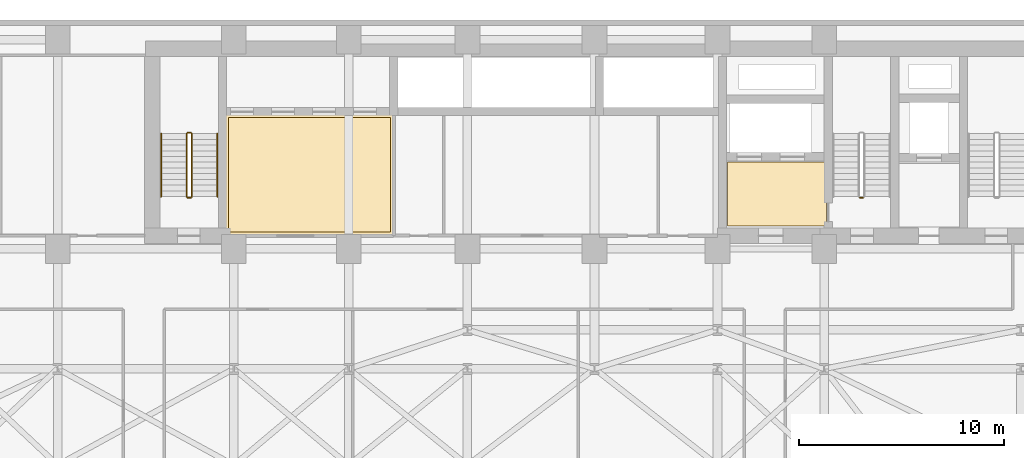
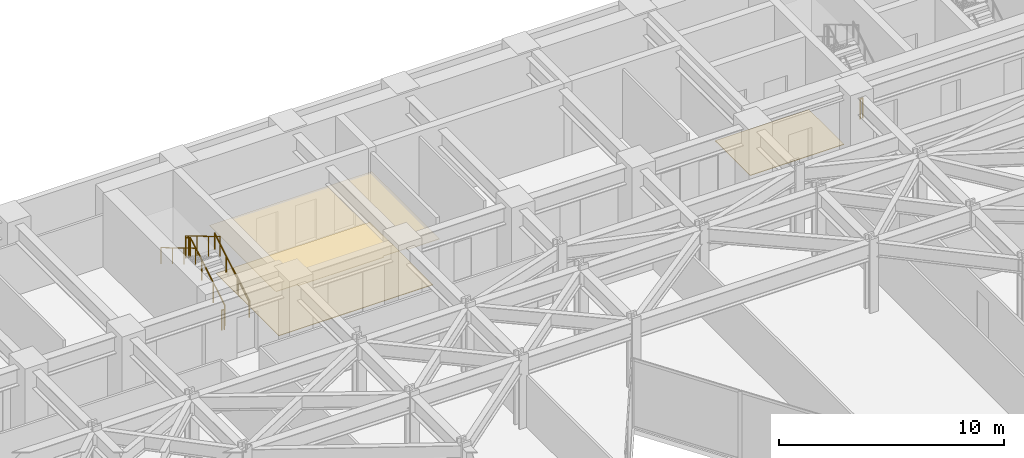
# One storey, part 24 of 25: 7 railings, 3 coverings.
"""IFC4 building model written with IfcOpenShell, lengths in metres."""

import ifcopenshell
import ifcopenshell.guid

model = None  # the IFC model being written
_history = None  # IfcOwnerHistory: only IFC2X3 demands one
_inside = {}  # id of a spatial element -> (the spatial element, [elements in it])
_under = {}  # id of a project, library or spatial element -> (it, [spatial elements below it])
_declared = {}  # id of a project -> (the project, [libraries it declares])
_typed = {}  # id of a type object -> (the type object, [elements of that type])
_made_of = {}  # id of a material, layer set ... -> (it, [elements and type objects made of it])


def new_model(schema):
    """Start an empty IFC model of exactly this schema.

    Asked for "IFC4X3", IfcOpenShell would pick the latest addendum, in which some entities
    have other attributes; the version numbers below select the first issue.
    IFC2X3 requires an IfcOwnerHistory on every rooted entity: one is made here for all.
    """
    global model, _history
    if schema == "IFC4X3":
        model = ifcopenshell.file(schema_version=(4, 3, 0, 0))
    else:
        model = ifcopenshell.file(schema=schema)
    _inside.clear()
    _under.clear()
    _declared.clear()
    _typed.clear()
    _made_of.clear()
    _history = None
    if model.schema == "IFC2X3":
        org = make("IfcOrganization", Name="unknown")
        user = make(
            "IfcPersonAndOrganization",
            ThePerson=make("IfcPerson", FamilyName="unknown"),
            TheOrganization=org,
        )
        app = make(
            "IfcApplication",
            ApplicationDeveloper=org,
            Version="unknown",
            ApplicationFullName="unknown",
            ApplicationIdentifier="unknown",
        )
        _history = make(
            "IfcOwnerHistory",
            OwningUser=user,
            OwningApplication=app,
            ChangeAction="ADDED",
            CreationDate=0,
        )
    return model


def make(cls, **values):
    """One entity of the class cls with the attributes given. An attribute that is None is left unset."""
    return model.create_entity(
        cls, **{name: value for name, value in values.items() if value is not None}
    )


def rooted(cls, **values):
    """An entity with a GlobalId (a new one), such as an element, a storey or a relation."""
    return make(cls, GlobalId=ifcopenshell.guid.new(), OwnerHistory=_history, **values)


def si_unit(unit_type, name, prefix=None):
    """IfcSIUnit, for example si_unit("LENGTHUNIT", "METRE", prefix="MILLI")."""
    return make("IfcSIUnit", UnitType=unit_type, Prefix=prefix, Name=name)


def assignment(units):
    """IfcUnitAssignment: the units of a project."""
    return None if units is None else make("IfcUnitAssignment", Units=units)


def point(xyz):
    """IfcCartesianPoint."""
    return None if xyz is None else make("IfcCartesianPoint", Coordinates=xyz)


def direction(xyz):
    """IfcDirection."""
    return None if xyz is None else make("IfcDirection", DirectionRatios=xyz)


def frame(location, z_axis=None, x_axis=None):
    """IfcAxis2Placement3D, a coordinate frame: its origin and axes. An axis left out is left unset."""
    return make(
        "IfcAxis2Placement3D",
        Location=point(location),
        Axis=direction(z_axis),
        RefDirection=direction(x_axis),
    )


def frame_2d(location, x_axis=None):
    """IfcAxis2Placement2D, a coordinate frame in the plane: its origin and x axis."""
    return make(
        "IfcAxis2Placement2D", Location=point(location), RefDirection=direction(x_axis)
    )


def origin():
    """The frame at (0, 0, 0) with its axes left unset."""
    return frame((0.0, 0.0, 0.0))


def origin_2d():
    """The frame at (0, 0) in the plane with its x axis left unset."""
    return frame_2d((0.0, 0.0))


def place(relative_to, where):
    """IfcLocalPlacement: puts the frame where relative to a parent placement (None: the world)."""
    return make(
        "IfcLocalPlacement", PlacementRelTo=relative_to, RelativePlacement=where
    )


def context(
    kind, dimensions, precision=None, world=None, true_north=None, identifier=None
):
    """IfcGeometricRepresentationContext, for example the 3D "Model" context."""
    return make(
        "IfcGeometricRepresentationContext",
        ContextIdentifier=identifier,
        ContextType=kind,
        CoordinateSpaceDimension=dimensions,
        Precision=precision,
        WorldCoordinateSystem=world,
        TrueNorth=true_north,
    )


def subcontext(parent, identifier, kind, view, scale=None):
    """IfcGeometricRepresentationSubContext, for example "Body" below "Model"."""
    return make(
        "IfcGeometricRepresentationSubContext",
        ContextIdentifier=identifier,
        ContextType=kind,
        ParentContext=parent,
        TargetScale=scale,
        TargetView=view,
    )


def project(units=None, contexts=None):
    """IfcProject with its units and contexts."""
    return rooted(
        "IfcProject",
        Name="project",
        RepresentationContexts=contexts,
        UnitsInContext=assignment(units),
    )


def spatial(cls, under=None, at=None, **own):
    """A site, building, storey or space (cls), placed at a placement, below another one or the project."""
    s = rooted(cls, ObjectPlacement=at, **own)
    if under is not None:
        _under.setdefault(under.id(), (under, []))[1].append(s)
    return s


def polyline(points):
    """IfcPolyline through the points."""
    return make("IfcPolyline", Points=[point(p) for p in points])


def profile(cls, at=None, kind="AREA", **sizes):
    """A parametric profile (cls). Its sizes go by their IFC names, for example OverallWidth=200.0."""
    return make(cls, ProfileType=kind, Position=at, **sizes)


def circle(**sizes):
    """IfcCircleProfileDef."""
    return profile("IfcCircleProfileDef", **sizes)


def outline(outer, holes=None, kind="AREA"):
    """IfcArbitraryClosedProfileDef: a profile drawn as a closed curve; with holes, ...WithVoids."""
    if holes is None:
        return make("IfcArbitraryClosedProfileDef", ProfileType=kind, OuterCurve=outer)
    return make(
        "IfcArbitraryProfileDefWithVoids",
        ProfileType=kind,
        OuterCurve=outer,
        InnerCurves=holes,
    )


def extrude(swept, where, along, depth):
    """IfcExtrudedAreaSolid: the profile swept, set in the frame where, extruded along a direction by depth."""
    return make(
        "IfcExtrudedAreaSolid",
        SweptArea=swept,
        Position=where,
        ExtrudedDirection=direction(along),
        Depth=depth,
    )


def shape(context_of_items, identifier, shape_type, items):
    """IfcShapeRepresentation: the items that make up one representation, for example the "Body"."""
    return make(
        "IfcShapeRepresentation",
        ContextOfItems=context_of_items,
        RepresentationIdentifier=identifier,
        RepresentationType=shape_type,
        Items=items,
    )


def material(Name=None, Category=None):
    """IfcMaterial."""
    return make("IfcMaterial", Name=Name, Category=Category)


def layer(
    of_material, thickness, ventilated=None, Name=None, Category=None, Priority=None
):
    """IfcMaterialLayer: one layer of a wall or slab, of a material (None: an air gap)."""
    return make(
        "IfcMaterialLayer",
        Material=of_material,
        LayerThickness=thickness,
        IsVentilated=ventilated,
        Name=Name,
        Category=Category,
        Priority=Priority,
    )


def layer_set(layers, Name=None):
    """IfcMaterialLayerSet."""
    return make("IfcMaterialLayerSet", MaterialLayers=layers, LayerSetName=Name)


def made_of(thing, what):
    """Note that an element or type object is made of a material, layer set ...; save() writes the relation."""
    if what is not None:
        _made_of.setdefault(what.id(), (what, []))[1].append(thing)
    return thing


def type_object(cls, material=None, **own):
    """A type object (cls), such as IfcWallType, which elements share."""
    return made_of(rooted(cls, **own), material)


def element(
    cls,
    number,
    at=None,
    inside=None,
    cuts=None,
    type_object=None,
    material=None,
    context=None,
    identifier="Body",
    shape_type=None,
    held_by="IfcProductDefinitionShape",
    body=None,
    shapes=None,
    **own,
):
    """One element of the class cls, such as IfcWall. Its Tag is "e" and its number.

    at: its placement. inside: the storey or other place that contains it. cuts: it is an
    opening in that element (IfcRelVoidsElement). A single representation is given by context,
    identifier, shape_type and body (its items); several are given by shapes. held_by: the class
    of the entity that holds the representations. save() writes the other relations.
    """
    e = rooted(cls, Tag="e%d" % number, ObjectPlacement=at, **own)
    if body is not None:
        shapes = [shape(context, identifier, shape_type, body)]
    if shapes is not None:
        e.Representation = make(held_by, Representations=shapes)
    if inside is not None:
        _inside.setdefault(inside.id(), (inside, []))[1].append(e)
    if cuts is not None:
        rooted(
            "IfcRelVoidsElement", RelatingBuildingElement=cuts, RelatedOpeningElement=e
        )
    if type_object is not None:
        _typed.setdefault(type_object.id(), (type_object, []))[1].append(e)
    return made_of(e, material)


def aggregate(whole, parts):
    """IfcRelAggregates: a whole, such as a stair, and the parts it consists of."""
    return rooted("IfcRelAggregates", RelatingObject=whole, RelatedObjects=parts)


def save(model, path):
    """Write the relations noted so far, then the file.

    IfcRelAggregates (storeys below a building ...), IfcRelContainedInSpatialStructure (elements
    in a storey), IfcRelDefinesByType, IfcRelAssociatesMaterial and IfcRelDeclares: one each for
    every whole, place, type object, material and project.
    """
    for whole, parts in _under.values():
        aggregate(whole, parts)
    for where, things in _inside.values():
        rooted(
            "IfcRelContainedInSpatialStructure",
            RelatedElements=things,
            RelatingStructure=where,
        )
    for kind, things in _typed.values():
        rooted("IfcRelDefinesByType", RelatedObjects=things, RelatingType=kind)
    for what, things in _made_of.values():
        rooted("IfcRelAssociatesMaterial", RelatedObjects=things, RelatingMaterial=what)
    for by, libraries in _declared.values():
        rooted("IfcRelDeclares", RelatingContext=by, RelatedDefinitions=libraries)
    model.write(path)


model = new_model("IFC4")

# Units and contexts
model_context = context("Model", 3, precision=1e-05, world=origin(), true_north=direction((0.0, 1.0)))
body_context = subcontext(model_context, "Body", "Model", "MODEL_VIEW")
ifc_project = project(units=[si_unit("LENGTHUNIT", "METRE"), si_unit("AREAUNIT", "SQUARE_METRE"), si_unit("VOLUMEUNIT", "CUBIC_METRE"), si_unit("PLANEANGLEUNIT", "RADIAN"), si_unit("MASSUNIT", "GRAM", prefix="KILO")], contexts=[model_context])

# Site, building, storey
site_placement = place(None, origin())
site = spatial("IfcSite", under=ifc_project, at=site_placement, CompositionType="ELEMENT")
building_placement = place(site_placement, origin())
building = spatial("IfcBuilding", under=site, at=building_placement, Name="Kravanh Interchange Tower", CompositionType="ELEMENT")
storey_placement = place(building_placement, frame((0.0, 0.0, 41.5)))
storey = spatial("IfcBuildingStorey", under=building, at=storey_placement, Name="L09", CompositionType="ELEMENT", Elevation=41.5)

# Coverings
ifc_material_1 = material(Name="Cementitious Terrazzo Tile")
ifc_layer_1 = layer(ifc_material_1, 0.030029296875)
ifc_layer_set_1 = layer_set([ifc_layer_1], Name="Honed Terrazzo Lobby Flooring 30mm")
covering_type_1 = type_object("IfcCoveringType", Name="Honed Terrazzo Lobby Flooring 30mm", PredefinedType="FLOORING", material=ifc_layer_set_1)
covering_1_placement = place(storey_placement, origin())
element("IfcCovering", 1, at=covering_1_placement, inside=storey, type_object=covering_type_1, Name="L09 Firefighting Lobby Floor Finish", PredefinedType="FLOORING", context=body_context, shape_type="SweptSolid", body=[
    extrude(outline(polyline([(56.1201171875, 38.4599609375), (51.300048828125, 38.4599609375), (51.300048828125, 41.580078125), (56.1201171875, 41.580078125), (56.1201171875, 38.4599609375)])), origin(), (0.0, 0.0, 1.0), 0.030029296875),
])
covering_2_placement = place(storey_placement, origin())
element("IfcCovering", 2, at=covering_2_placement, inside=storey, type_object=covering_type_1, Name="L09 Low-Rise Lift Lobby Floor Finish", PredefinedType="FLOORING", context=body_context, shape_type="SweptSolid", body=[
    extrude(outline(polyline([(26.929931640625, 43.77001953125), (34.840087890625, 43.77001953125), (34.840087890625, 38.179931640625), (26.929931640625, 38.179931640625), (26.929931640625, 43.77001953125)])), origin(), (0.0, 0.0, 1.0), 0.030029296875),
])
ifc_material_2 = material(Name="Acoustic Mineral Fibre Tile on Aluminium Grid", Category="aluminium")
ifc_layer_2 = layer(ifc_material_2, 0.02490234375)
ifc_layer_set_2 = layer_set([ifc_layer_2], Name="Perforated Acoustic Mineral Ceiling 25mm")
covering_type_2 = type_object("IfcCoveringType", Name="Perforated Acoustic Mineral Ceiling 25mm", PredefinedType="CEILING", material=ifc_layer_set_2)
covering_3_placement = place(storey_placement, frame((0.0, 0.0, 2.550048828125)))
element("IfcCovering", 3, at=covering_3_placement, inside=storey, type_object=covering_type_2, Name="L09 Low-Rise Lift Lobby Suspended Ceiling", PredefinedType="CEILING", context=body_context, shape_type="SweptSolid", body=[
    extrude(outline(polyline([(35.06005859375, 37.9599609375), (33.39990234375, 37.9599609375), (33.39990234375, 38.050048828125), (32.199951171875, 38.050048828125), (32.199951171875, 37.9599609375), (27.800048828125, 37.9599609375), (27.800048828125, 38.050048828125), (26.7099609375, 38.050048828125), (26.7099609375, 43.989990234375), (35.06005859375, 43.989990234375), (35.06005859375, 37.9599609375)])), origin(), (0.0, 0.0, 1.0), 0.02490234375),
])

# Railings
ifc_material_3 = material(Name="Structural Steel S355", Category="steel")
ifc_layer_3 = layer(ifc_material_3, 0.050048828125)
ifc_layer_set_3 = layer_set([ifc_layer_3], Name="Stair Well Guardrail Structural Steel S355 1100mm")
railing_type_1 = type_object("IfcRailingType", Name="Stair Well Guardrail Structural Steel S355 1100mm", PredefinedType="GUARDRAIL", material=ifc_layer_set_3)
railing_1_placement = place(storey_placement, frame((57.89990234375, 39.85009765625, 0.0)))
element("IfcRailing", 4, at=railing_1_placement, inside=storey, type_object=railing_type_1, Name="L09 ST2 stair guard 4", PredefinedType="GUARDRAIL", context=body_context, shape_type="SweptSolid", body=[
    extrude(circle(Radius=0.02392578125, at=origin_2d()), frame((0.0, 0.0, 1.076171875), z_axis=(-1.0, 0.0, 0.0), x_axis=(0.0, -1.0, 0.0)), (0.0, 0.0, 1.0), 0.14990234375),
    extrude(circle(Radius=0.02099609375, at=origin_2d()), origin(), (0.0, 0.0, 1.0), 1.052001953125),
    extrude(circle(Radius=0.02099609375, at=origin_2d()), frame((-0.14990234375, 0.0, 0.0)), (0.0, 0.0, 1.0), 1.052001953125),
])
railing_2_placement = place(storey_placement, frame((25.14990234375, 39.89990234375, 0.166748046875)))
element("IfcRailing", 5, at=railing_2_placement, inside=storey, type_object=railing_type_1, Name="L09 ST3 stair guard 1", PredefinedType="GUARDRAIL", context=body_context, shape_type="SweptSolid", body=[
    extrude(circle(Radius=0.02392578125, at=origin_2d()), frame((0.0, 0.0, 1.076171875), z_axis=(0.0, 0.859308565015, 0.511457515432), x_axis=(-1.0, 0.0, 0.0)), (0.0, 0.0, 1.0), 3.58447265625),
    extrude(circle(Radius=0.02099609375, at=origin_2d()), origin(), (0.0, 0.0, 1.0), 1.052001953125),
    extrude(circle(Radius=0.02099609375, at=origin_2d()), frame((0.0, 1.026611328125, 0.611083984375)), (0.0, 0.0, 1.0), 1.052001953125),
    extrude(circle(Radius=0.02099609375, at=origin_2d()), frame((0.0, 2.053466796875, 1.22216796875)), (0.0, 0.0, 1.0), 1.052001953125),
    extrude(circle(Radius=0.02099609375, at=origin_2d()), frame((0.0, 3.080078125, 1.833251953125)), (0.0, 0.0, 1.0), 1.052001953125),
])
railing_3_placement = place(storey_placement, frame((25.10009765625, 43.030029296875, 2.0)))
element("IfcRailing", 6, at=railing_3_placement, inside=storey, type_object=railing_type_1, Name="L09 ST3 stair guard 2", PredefinedType="GUARDRAIL", context=body_context, shape_type="SweptSolid", body=[
    extrude(circle(Radius=0.02392578125, at=origin_2d()), frame((0.0, 0.0, 1.076171875), z_axis=(-1.0, 0.0, 0.0), x_axis=(0.0, -1.0, 0.0)), (0.0, 0.0, 1.0), 0.150146484375),
    extrude(circle(Radius=0.02099609375, at=origin_2d()), origin(), (0.0, 0.0, 1.0), 1.052001953125),
    extrude(circle(Radius=0.02099609375, at=origin_2d()), frame((-0.150146484375, 0.0, 0.0)), (0.0, 0.0, 1.0), 1.052001953125),
])
railing_4_placement = place(storey_placement, frame((24.89990234375, 42.97998046875, 2.166748046875)))
element("IfcRailing", 7, at=railing_4_placement, inside=storey, type_object=railing_type_1, Name="L09 ST3 stair guard 3", PredefinedType="GUARDRAIL", context=body_context, shape_type="SweptSolid", body=[
    extrude(circle(Radius=0.02392578125, at=origin_2d()), frame((0.0, 0.0, 1.076171875), z_axis=(0.0, -0.859308565015, 0.511457515432), x_axis=(1.0, 0.0, 0.0)), (0.0, 0.0, 1.0), 3.58447265625),
    extrude(circle(Radius=0.02099609375, at=origin_2d()), origin(), (0.0, 0.0, 1.0), 1.052001953125),
    extrude(circle(Radius=0.02099609375, at=origin_2d()), frame((0.0, -1.026611328125, 0.611083984375)), (0.0, 0.0, 1.0), 1.052001953125),
    extrude(circle(Radius=0.02099609375, at=origin_2d()), frame((0.0, -2.053466796875, 1.22216796875)), (0.0, 0.0, 1.0), 1.052001953125),
    extrude(circle(Radius=0.02099609375, at=origin_2d()), frame((0.0, -3.080078125, 1.833251953125)), (0.0, 0.0, 1.0), 1.052001953125),
])
railing_5_placement = place(storey_placement, frame((25.10009765625, 39.85009765625, 0.0)))
element("IfcRailing", 8, at=railing_5_placement, inside=storey, type_object=railing_type_1, Name="L09 ST3 stair guard 4", PredefinedType="GUARDRAIL", context=body_context, shape_type="SweptSolid", body=[
    extrude(circle(Radius=0.02392578125, at=origin_2d()), frame((0.0, 0.0, 1.076171875), z_axis=(-1.0, 0.0, 0.0), x_axis=(0.0, -1.0, 0.0)), (0.0, 0.0, 1.0), 0.150146484375),
    extrude(circle(Radius=0.02099609375, at=origin_2d()), origin(), (0.0, 0.0, 1.0), 1.052001953125),
    extrude(circle(Radius=0.02099609375, at=origin_2d()), frame((-0.150146484375, 0.0, 0.0)), (0.0, 0.0, 1.0), 1.052001953125),
])
ifc_material_4 = material(Name="Stainless Steel 304", Category="steel")
ifc_layer_4 = layer(ifc_material_4, 0.044921875)
ifc_layer_set_4 = layer_set([ifc_layer_4], Name="Tubular Stair Handrail Stainless 304 900mm")
railing_type_2 = type_object("IfcRailingType", Name="Tubular Stair Handrail Stainless 304 900mm", PredefinedType="HANDRAIL", material=ifc_layer_set_4)
railing_6_placement = place(storey_placement, frame((26.39990234375, 39.89990234375, 0.166748046875)))
element("IfcRailing", 9, at=railing_6_placement, inside=storey, type_object=railing_type_2, Name="L09 ST3 stair handrail 1", PredefinedType="HANDRAIL", context=body_context, shape_type="SweptSolid", body=[
    extrude(circle(Radius=0.02392578125, at=origin_2d()), frame((0.0, 0.0, 0.8759765625), z_axis=(0.0, 0.859308565015, 0.511457515432), x_axis=(-1.0, 0.0, 0.0)), (0.0, 0.0, 1.0), 3.58447265625),
    extrude(circle(Radius=0.02099609375, at=origin_2d()), origin(), (0.0, 0.0, 1.0), 0.851806640625),
    extrude(circle(Radius=0.02099609375, at=origin_2d()), frame((0.0, 1.026611328125, 0.611083984375)), (0.0, 0.0, 1.0), 0.851806640625),
    extrude(circle(Radius=0.02099609375, at=origin_2d()), frame((0.0, 2.053466796875, 1.22216796875)), (0.0, 0.0, 1.0), 0.851806640625),
    extrude(circle(Radius=0.02099609375, at=origin_2d()), frame((0.0, 3.080078125, 1.833251953125)), (0.0, 0.0, 1.0), 0.851806640625),
])
railing_7_placement = place(storey_placement, frame((23.64990234375, 42.97998046875, 2.166748046875)))
element("IfcRailing", 10, at=railing_7_placement, inside=storey, type_object=railing_type_2, Name="L09 ST3 stair handrail 2", PredefinedType="HANDRAIL", context=body_context, shape_type="SweptSolid", body=[
    extrude(circle(Radius=0.02392578125, at=origin_2d()), frame((0.0, 0.0, 0.8759765625), z_axis=(0.0, -0.859308565015, 0.511457515432), x_axis=(1.0, 0.0, 0.0)), (0.0, 0.0, 1.0), 3.58447265625),
    extrude(circle(Radius=0.02099609375, at=origin_2d()), origin(), (0.0, 0.0, 1.0), 0.851806640625),
    extrude(circle(Radius=0.02099609375, at=origin_2d()), frame((0.0, -1.026611328125, 0.611083984375)), (0.0, 0.0, 1.0), 0.851806640625),
    extrude(circle(Radius=0.02099609375, at=origin_2d()), frame((0.0, -2.053466796875, 1.22216796875)), (0.0, 0.0, 1.0), 0.851806640625),
    extrude(circle(Radius=0.02099609375, at=origin_2d()), frame((0.0, -3.080078125, 1.833251953125)), (0.0, 0.0, 1.0), 0.851806640625),
])

save(model, "model.ifc")
